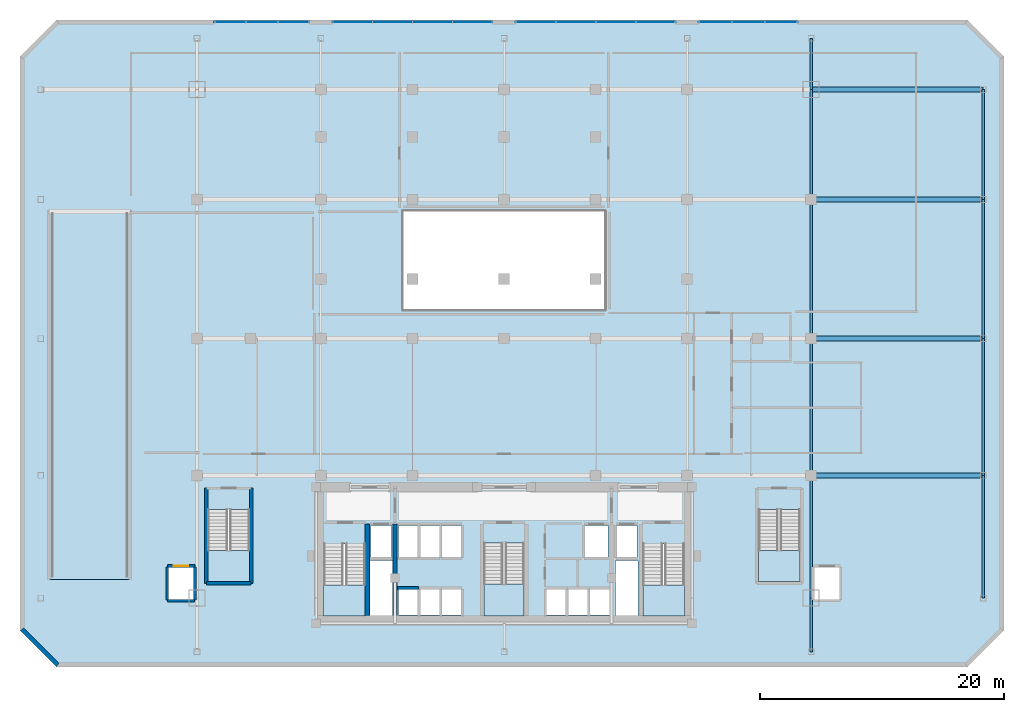
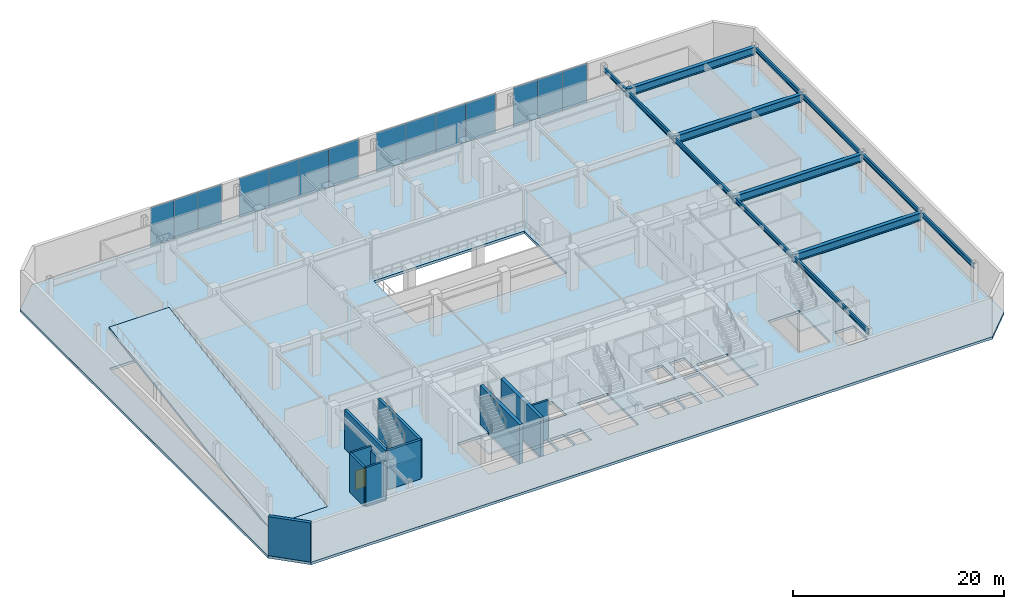
# One storey, part 10 of 16: 14 beams, 14 plates, 11 walls, 7 slabs, 1 door, 1 opening, 9 elements without a shape of their own.
"""IFC4 building model written with IfcOpenShell, lengths in metres."""

from ifc_helpers import new_model, si_unit, direction, frame, frame_2d, origin, origin_2d, place, context, subcontext, project, spatial, polyline, rectangle, i_section, outline, extrude, material, layer, layer_set, material_profile, profile_set, type_object, element, fill, aggregate, save


model = new_model("IFC4")

# Units and contexts
model_context = context("Model", 3, precision=1e-05, world=origin(), true_north=direction((0.0, 1.0)))
body_context = subcontext(model_context, "Body", "Model", "MODEL_VIEW")
ifc_project = project(units=[si_unit("LENGTHUNIT", "METRE"), si_unit("AREAUNIT", "SQUARE_METRE"), si_unit("VOLUMEUNIT", "CUBIC_METRE"), si_unit("PLANEANGLEUNIT", "RADIAN"), si_unit("MASSUNIT", "GRAM", prefix="KILO")], contexts=[model_context])

# Site, building, storey
site_placement = place(None, origin())
site = spatial("IfcSite", under=ifc_project, at=site_placement, CompositionType="ELEMENT")
building_placement = place(site_placement, origin())
building = spatial("IfcBuilding", under=site, at=building_placement, Name="Ventersveld Concourse Tower", CompositionType="ELEMENT")
storey_placement = place(building_placement, frame((0.0, 0.0, 10.199951171875)))
storey = spatial("IfcBuildingStorey", under=building, at=storey_placement, Name="L02", CompositionType="ELEMENT", Elevation=10.199951171875)

# Beams
ifc_material_1 = material(Name="Structural steel S355J2", Category="steel")
ifc_material_profile_1 = material_profile(ifc_material_1, i_section(OverallWidth=0.39990234375, OverallDepth=0.89990234375, WebThickness=0.02197265625, FlangeThickness=0.035888671875, at=origin_2d()), Name="PG 900x400x36")
ifc_profile_set_1 = profile_set([ifc_material_profile_1], Name="Structural steel S355J2")
beam_type_1 = type_object("IfcBeamType", Name="GRD-PG900", PredefinedType="USERDEFINED", material=ifc_profile_set_1)
for number, where, z_axis, x_axis, name in (
    (1, (53.89990234375, 12.39990234375, 4.070068359375), (1.0, 0.0, 0.0), (0.0, 1.0, 0.0), "L02 Podium Primary Girder Y=12.4m"),
    (2, (53.89990234375, 23.60009765625, 4.070068359375), (1.0, 0.0, 0.0), (0.0, 1.0, 0.0), "L02 Podium Primary Girder Y=23.6m"),
    (3, (53.89990234375, 35.0, 4.070068359375), (1.0, 0.0, 0.0), (0.0, 1.0, 0.0), "L02 Podium Primary Girder Y=35.0m"),
    (4, (53.89990234375, 44.0, 4.070068359375), (1.0, 0.0, 0.0), (0.0, 1.0, 0.0), "L02 Podium Primary Girder Y=44.0m"),
):
    element("IfcBeam", number, at=place(storey_placement, frame(where, z_axis=z_axis, x_axis=x_axis)), inside=storey, type_object=beam_type_1, Name=name, ObjectType="GIRDER", PredefinedType="USERDEFINED", context=body_context, shape_type="SweptSolid", body=[
        extrude(i_section(OverallWidth=0.39990234375, OverallDepth=0.89990234375, WebThickness=0.02197265625, FlangeThickness=0.035888671875, at=origin_2d()), origin(), (0.0, 0.0, 1.0), 14.10009765625),
    ])
ifc_material_profile_2 = material_profile(ifc_material_1, i_section(OverallWidth=0.209228515625, OverallDepth=0.533203125, WebThickness=0.010009765625, FlangeThickness=0.015625, FilletRadius=0.0126953125, at=origin_2d()), Name="UB 533x210x92")
ifc_profile_set_2 = profile_set([ifc_material_profile_2], Name="Structural steel S355J2")
beam_type_2 = type_object("IfcBeamType", Name="GRD-UB533", PredefinedType="T_BEAM", material=ifc_profile_set_2)
beam_1_placement = place(storey_placement, frame((53.89990234375, -2.050048828125, 4.253662109375), z_axis=(0.0, 1.0, 0.0), x_axis=(-1.0, 0.0, 0.0)))
element("IfcBeam", 5, at=beam_1_placement, inside=storey, type_object=beam_type_2, Name="L02 Podium N-S Girder X=53.90m", PredefinedType="T_BEAM", context=body_context, shape_type="SweptSolid", body=[
    extrude(i_section(OverallWidth=0.209228515625, OverallDepth=0.533203125, WebThickness=0.010009765625, FlangeThickness=0.015625, FilletRadius=0.0126953125, at=origin_2d()), origin(), (0.0, 0.0, 1.0), 4.400146484375),
])
beam_2_placement = place(storey_placement, frame((53.89990234375, 2.35009765625, 4.253662109375), z_axis=(0.0, 1.0, 0.0), x_axis=(-1.0, 0.0, 0.0)))
element("IfcBeam", 6, at=beam_2_placement, inside=storey, type_object=beam_type_2, Name="L02 Podium N-S Girder X=53.90m", PredefinedType="T_BEAM", context=body_context, shape_type="SweptSolid", body=[
    extrude(i_section(OverallWidth=0.209228515625, OverallDepth=0.533203125, WebThickness=0.010009765625, FlangeThickness=0.015625, FilletRadius=0.0126953125, at=origin_2d()), origin(), (0.0, 0.0, 1.0), 10.0498046875),
])
beam_3_placement = place(storey_placement, frame((53.89990234375, 12.39990234375, 4.253662109375), z_axis=(0.0, 1.0, 0.0), x_axis=(-1.0, 0.0, 0.0)))
element("IfcBeam", 7, at=beam_3_placement, inside=storey, type_object=beam_type_2, Name="L02 Podium N-S Girder X=53.90m", PredefinedType="T_BEAM", context=body_context, shape_type="SweptSolid", body=[
    extrude(i_section(OverallWidth=0.209228515625, OverallDepth=0.533203125, WebThickness=0.010009765625, FlangeThickness=0.015625, FilletRadius=0.0126953125, at=origin_2d()), origin(), (0.0, 0.0, 1.0), 11.2001953125),
])
beam_4_placement = place(storey_placement, frame((53.89990234375, 23.60009765625, 4.253662109375), z_axis=(0.0, 1.0, 0.0), x_axis=(-1.0, 0.0, 0.0)))
element("IfcBeam", 8, at=beam_4_placement, inside=storey, type_object=beam_type_2, Name="L02 Podium N-S Girder X=53.90m", PredefinedType="T_BEAM", context=body_context, shape_type="SweptSolid", body=[
    extrude(i_section(OverallWidth=0.209228515625, OverallDepth=0.533203125, WebThickness=0.010009765625, FlangeThickness=0.015625, FilletRadius=0.0126953125, at=origin_2d()), origin(), (0.0, 0.0, 1.0), 11.39990234375),
])
beam_5_placement = place(storey_placement, frame((53.89990234375, 35.0, 4.253662109375), z_axis=(0.0, 1.0, 0.0), x_axis=(-1.0, 0.0, 0.0)))
element("IfcBeam", 9, at=beam_5_placement, inside=storey, type_object=beam_type_2, Name="L02 Podium N-S Girder X=53.90m", PredefinedType="T_BEAM", context=body_context, shape_type="SweptSolid", body=[
    extrude(i_section(OverallWidth=0.209228515625, OverallDepth=0.533203125, WebThickness=0.010009765625, FlangeThickness=0.015625, FilletRadius=0.0126953125, at=origin_2d()), origin(), (0.0, 0.0, 1.0), 9.0),
])
beam_6_placement = place(storey_placement, frame((53.89990234375, 44.0, 4.253662109375), z_axis=(0.0, 1.0, 0.0), x_axis=(-1.0, 0.0, 0.0)))
element("IfcBeam", 10, at=beam_6_placement, inside=storey, type_object=beam_type_2, Name="L02 Podium N-S Girder X=53.90m", PredefinedType="T_BEAM", context=body_context, shape_type="SweptSolid", body=[
    extrude(i_section(OverallWidth=0.209228515625, OverallDepth=0.533203125, WebThickness=0.010009765625, FlangeThickness=0.015625, FilletRadius=0.0126953125, at=origin_2d()), origin(), (0.0, 0.0, 1.0), 4.199951171875),
])
beam_7_placement = place(storey_placement, frame((68.0, 2.35009765625, 4.253662109375), z_axis=(0.0, 1.0, 0.0), x_axis=(-1.0, 0.0, 0.0)))
element("IfcBeam", 11, at=beam_7_placement, inside=storey, type_object=beam_type_2, Name="L02 Podium N-S Girder X=68.00m", PredefinedType="T_BEAM", context=body_context, shape_type="SweptSolid", body=[
    extrude(i_section(OverallWidth=0.209228515625, OverallDepth=0.533203125, WebThickness=0.010009765625, FlangeThickness=0.015625, FilletRadius=0.0126953125, at=origin_2d()), origin(), (0.0, 0.0, 1.0), 10.0498046875),
])
beam_8_placement = place(storey_placement, frame((68.0, 12.39990234375, 4.253662109375), z_axis=(0.0, 1.0, 0.0), x_axis=(-1.0, 0.0, 0.0)))
element("IfcBeam", 12, at=beam_8_placement, inside=storey, type_object=beam_type_2, Name="L02 Podium N-S Girder X=68.00m", PredefinedType="T_BEAM", context=body_context, shape_type="SweptSolid", body=[
    extrude(i_section(OverallWidth=0.209228515625, OverallDepth=0.533203125, WebThickness=0.010009765625, FlangeThickness=0.015625, FilletRadius=0.0126953125, at=origin_2d()), origin(), (0.0, 0.0, 1.0), 11.2001953125),
])
beam_9_placement = place(storey_placement, frame((68.0, 23.60009765625, 4.253662109375), z_axis=(0.0, 1.0, 0.0), x_axis=(-1.0, 0.0, 0.0)))
element("IfcBeam", 13, at=beam_9_placement, inside=storey, type_object=beam_type_2, Name="L02 Podium N-S Girder X=68.00m", PredefinedType="T_BEAM", context=body_context, shape_type="SweptSolid", body=[
    extrude(i_section(OverallWidth=0.209228515625, OverallDepth=0.533203125, WebThickness=0.010009765625, FlangeThickness=0.015625, FilletRadius=0.0126953125, at=origin_2d()), origin(), (0.0, 0.0, 1.0), 11.39990234375),
])
beam_10_placement = place(storey_placement, frame((68.0, 35.0, 4.253662109375), z_axis=(0.0, 1.0, 0.0), x_axis=(-1.0, 0.0, 0.0)))
element("IfcBeam", 14, at=beam_10_placement, inside=storey, type_object=beam_type_2, Name="L02 Podium N-S Girder X=68.00m", PredefinedType="T_BEAM", context=body_context, shape_type="SweptSolid", body=[
    extrude(i_section(OverallWidth=0.209228515625, OverallDepth=0.533203125, WebThickness=0.010009765625, FlangeThickness=0.015625, FilletRadius=0.0126953125, at=origin_2d()), origin(), (0.0, 0.0, 1.0), 9.0),
])

# Curtain wall, plates
ifc_material_2 = material(Name="Anodised aluminium EN AW-6063-T6", Category="aluminium")
curtain_wall_type = type_object("IfcCurtainWallType", Name="CW-POD-2", PredefinedType="NOTDEFINED", material=ifc_material_2)
curtain_wall_1_placement = place(storey_placement, origin())
curtain_wall_1 = element("IfcCurtainWall", 15, at=curtain_wall_1_placement, inside=storey, type_object=curtain_wall_type, Name="L02 L02 Podium Gallery Curtain Wall 1", PredefinedType="NOTDEFINED")
ifc_material_3 = material(Name="Low-E double glazing IGU", Category="glass")
ifc_layer_1 = layer(ifc_material_3, 0.02392578125)
ifc_layer_set_1 = layer_set([ifc_layer_1], Name="Low-E double glazing IGU")
plate_type = type_object("IfcPlateType", Name="CWP-GLZ-24", PredefinedType="CURTAIN_PANEL", material=ifc_layer_set_1)
plate_1_placement = place(storey_placement, frame((6.300048828125, 49.52001953125, 0.02001953125), z_axis=(0.0, 0.0, 1.0), x_axis=(1.0, 0.0, 0.0)))
plate_1 = element("IfcPlate", 16, at=plate_1_placement, type_object=plate_type, Name="CW-L02-N1 Glazed Panel 01-1", PredefinedType="CURTAIN_PANEL", context=body_context, shape_type="SweptSolid", body=[
    extrude(rectangle(XDim=2.590087890625, YDim=0.02392578125, at=origin_2d()), origin(), (0.0, 0.0, 1.0), 4.47998046875),
])
plate_2_placement = place(storey_placement, frame((8.89990234375, 49.52001953125, 0.02001953125), z_axis=(0.0, 0.0, 1.0), x_axis=(1.0, 0.0, 0.0)))
plate_2 = element("IfcPlate", 17, at=plate_2_placement, type_object=plate_type, Name="CW-L02-N1 Glazed Panel 02-1", PredefinedType="CURTAIN_PANEL", context=body_context, shape_type="SweptSolid", body=[
    extrude(rectangle(XDim=2.590087890625, YDim=0.02392578125, at=origin_2d()), origin(), (0.0, 0.0, 1.0), 4.47998046875),
])
plate_3_placement = place(storey_placement, frame((11.5, 49.52001953125, 0.02001953125), z_axis=(0.0, 0.0, 1.0), x_axis=(1.0, 0.0, 0.0)))
plate_3 = element("IfcPlate", 18, at=plate_3_placement, type_object=plate_type, Name="CW-L02-N1 Glazed Panel 03-1", PredefinedType="CURTAIN_PANEL", context=body_context, shape_type="SweptSolid", body=[
    extrude(rectangle(XDim=2.590087890625, YDim=0.02392578125, at=origin_2d()), origin(), (0.0, 0.0, 1.0), 4.47998046875),
])
aggregate(curtain_wall_1, [plate_1, plate_2, plate_3])

curtain_wall_2_placement = place(storey_placement, origin())
curtain_wall_2 = element("IfcCurtainWall", 19, at=curtain_wall_2_placement, inside=storey, type_object=curtain_wall_type, Name="L02 L02 Podium Gallery Curtain Wall 2", PredefinedType="NOTDEFINED")
plate_4_placement = place(storey_placement, frame((16.33740234375, 49.52001953125, 0.02001953125), z_axis=(0.0, 0.0, 1.0), x_axis=(1.0, 0.0, 0.0)))
plate_4 = element("IfcPlate", 20, at=plate_4_placement, type_object=plate_type, Name="CW-L02-N2 Glazed Panel 01-1", PredefinedType="CURTAIN_PANEL", context=body_context, shape_type="SweptSolid", body=[
    extrude(rectangle(XDim=3.264892578125, YDim=0.02392578125, at=origin_2d()), origin(), (0.0, 0.0, 1.0), 4.47998046875),
])
plate_5_placement = place(storey_placement, frame((19.612548828125, 49.52001953125, 0.02001953125), z_axis=(0.0, 0.0, 1.0), x_axis=(1.0, 0.0, 0.0)))
plate_5 = element("IfcPlate", 21, at=plate_5_placement, type_object=plate_type, Name="CW-L02-N2 Glazed Panel 02-1", PredefinedType="CURTAIN_PANEL", context=body_context, shape_type="SweptSolid", body=[
    extrude(rectangle(XDim=3.264892578125, YDim=0.02392578125, at=origin_2d()), origin(), (0.0, 0.0, 1.0), 4.47998046875),
])
plate_6_placement = place(storey_placement, frame((22.887451171875, 49.52001953125, 0.02001953125), z_axis=(0.0, 0.0, 1.0), x_axis=(1.0, 0.0, 0.0)))
plate_6 = element("IfcPlate", 22, at=plate_6_placement, type_object=plate_type, Name="CW-L02-N2 Glazed Panel 03-1", PredefinedType="CURTAIN_PANEL", context=body_context, shape_type="SweptSolid", body=[
    extrude(rectangle(XDim=3.264892578125, YDim=0.02392578125, at=origin_2d()), origin(), (0.0, 0.0, 1.0), 4.47998046875),
])
plate_7_placement = place(storey_placement, frame((26.16259765625, 49.52001953125, 0.02001953125), z_axis=(0.0, 0.0, 1.0), x_axis=(1.0, 0.0, 0.0)))
plate_7 = element("IfcPlate", 23, at=plate_7_placement, type_object=plate_type, Name="CW-L02-N2 Glazed Panel 04-1", PredefinedType="CURTAIN_PANEL", context=body_context, shape_type="SweptSolid", body=[
    extrude(rectangle(XDim=3.264892578125, YDim=0.02392578125, at=origin_2d()), origin(), (0.0, 0.0, 1.0), 4.47998046875),
])
aggregate(curtain_wall_2, [plate_4, plate_5, plate_6, plate_7])

curtain_wall_3_placement = place(storey_placement, origin())
curtain_wall_3 = element("IfcCurtainWall", 24, at=curtain_wall_3_placement, inside=storey, type_object=curtain_wall_type, Name="L02 L02 Podium Gallery Curtain Wall 3", PredefinedType="NOTDEFINED")
plate_8_placement = place(storey_placement, frame((31.33740234375, 49.52001953125, 0.02001953125), z_axis=(0.0, 0.0, 1.0), x_axis=(1.0, 0.0, 0.0)))
plate_8 = element("IfcPlate", 25, at=plate_8_placement, type_object=plate_type, Name="CW-L02-N3 Glazed Panel 01-1", PredefinedType="CURTAIN_PANEL", context=body_context, shape_type="SweptSolid", body=[
    extrude(rectangle(XDim=3.264892578125, YDim=0.02392578125, at=origin_2d()), origin(), (0.0, 0.0, 1.0), 4.47998046875),
])
plate_9_placement = place(storey_placement, frame((34.612548828125, 49.52001953125, 0.02001953125), z_axis=(0.0, 0.0, 1.0), x_axis=(1.0, 0.0, 0.0)))
plate_9 = element("IfcPlate", 26, at=plate_9_placement, type_object=plate_type, Name="CW-L02-N3 Glazed Panel 02-1", PredefinedType="CURTAIN_PANEL", context=body_context, shape_type="SweptSolid", body=[
    extrude(rectangle(XDim=3.264892578125, YDim=0.02392578125, at=origin_2d()), origin(), (0.0, 0.0, 1.0), 4.47998046875),
])
plate_10_placement = place(storey_placement, frame((37.887451171875, 49.52001953125, 0.02001953125), z_axis=(0.0, 0.0, 1.0), x_axis=(1.0, 0.0, 0.0)))
plate_10 = element("IfcPlate", 27, at=plate_10_placement, type_object=plate_type, Name="CW-L02-N3 Glazed Panel 03-1", PredefinedType="CURTAIN_PANEL", context=body_context, shape_type="SweptSolid", body=[
    extrude(rectangle(XDim=3.264892578125, YDim=0.02392578125, at=origin_2d()), origin(), (0.0, 0.0, 1.0), 4.47998046875),
])
plate_11_placement = place(storey_placement, frame((41.16259765625, 49.52001953125, 0.02001953125), z_axis=(0.0, 0.0, 1.0), x_axis=(1.0, 0.0, 0.0)))
plate_11 = element("IfcPlate", 28, at=plate_11_placement, type_object=plate_type, Name="CW-L02-N3 Glazed Panel 04-1", PredefinedType="CURTAIN_PANEL", context=body_context, shape_type="SweptSolid", body=[
    extrude(rectangle(XDim=3.264892578125, YDim=0.02392578125, at=origin_2d()), origin(), (0.0, 0.0, 1.0), 4.47998046875),
])
aggregate(curtain_wall_3, [plate_8, plate_9, plate_10, plate_11])

curtain_wall_4_placement = place(storey_placement, origin())
curtain_wall_4 = element("IfcCurtainWall", 29, at=curtain_wall_4_placement, inside=storey, type_object=curtain_wall_type, Name="L02 L02 Podium Gallery Curtain Wall 4", PredefinedType="NOTDEFINED")
plate_12_placement = place(storey_placement, frame((46.050048828125, 49.52001953125, 0.02001953125), z_axis=(0.0, 0.0, 1.0), x_axis=(1.0, 0.0, 0.0)))
plate_12 = element("IfcPlate", 30, at=plate_12_placement, type_object=plate_type, Name="CW-L02-N4 Glazed Panel 01-1", PredefinedType="CURTAIN_PANEL", context=body_context, shape_type="SweptSolid", body=[
    extrude(rectangle(XDim=2.68994140625, YDim=0.02392578125, at=origin_2d()), origin(), (0.0, 0.0, 1.0), 4.47998046875),
])
plate_13_placement = place(storey_placement, frame((48.75, 49.52001953125, 0.02001953125), z_axis=(0.0, 0.0, 1.0), x_axis=(1.0, 0.0, 0.0)))
plate_13 = element("IfcPlate", 31, at=plate_13_placement, type_object=plate_type, Name="CW-L02-N4 Glazed Panel 02-1", PredefinedType="CURTAIN_PANEL", context=body_context, shape_type="SweptSolid", body=[
    extrude(rectangle(XDim=2.68994140625, YDim=0.02392578125, at=origin_2d()), origin(), (0.0, 0.0, 1.0), 4.47998046875),
])
plate_14_placement = place(storey_placement, frame((51.449951171875, 49.52001953125, 0.02001953125), z_axis=(0.0, 0.0, 1.0), x_axis=(1.0, 0.0, 0.0)))
plate_14 = element("IfcPlate", 32, at=plate_14_placement, type_object=plate_type, Name="CW-L02-N4 Glazed Panel 03-1", PredefinedType="CURTAIN_PANEL", context=body_context, shape_type="SweptSolid", body=[
    extrude(rectangle(XDim=2.68994140625, YDim=0.02392578125, at=origin_2d()), origin(), (0.0, 0.0, 1.0), 4.47998046875),
])
aggregate(curtain_wall_4, [plate_12, plate_13, plate_14])

# Slab
ifc_material_4 = material(Name="Concrete C50/60", Category="concrete")
ifc_layer_2 = layer(ifc_material_4, 0.300048828125)
ifc_layer_set_2 = layer_set([ifc_layer_2], Name="Concrete C50/60")
slab_type_1 = type_object("IfcSlabType", Name="SL-FLR-300", PredefinedType="FLOOR", material=ifc_layer_set_2)
slab_1_placement = place(storey_placement, frame((0.0, 0.0, -0.300048828125)))
element("IfcSlab", 33, at=slab_1_placement, inside=storey, type_object=slab_type_1, Name="L02 Composite Floor Slab", PredefinedType="FLOOR", context=body_context, shape_type="SweptSolid", body=[
    extrude(outline(polyline([(-7.89990234375, -3.300048828125), (66.699951171875, -3.300048828125), (69.699951171875, -0.300048828125), (69.699951171875, 46.699951171875), (66.699951171875, 49.699951171875), (-7.89990234375, 49.699951171875), (-10.89990234375, 46.699951171875), (-10.89990234375, -0.300048828125), (-7.89990234375, -3.300048828125)]), holes=[polyline([(13.97998046875, 6.794921875), (13.97998046875, 0.89990234375), (17.3798828125, 0.89990234375), (17.3798828125, 6.794921875), (13.97998046875, 6.794921875)]), polyline([(40.1201171875, 6.794921875), (40.1201171875, 0.89990234375), (43.52001953125, 0.89990234375), (43.52001953125, 6.794921875), (40.1201171875, 6.794921875)]), polyline([(27.10009765625, 6.844970703125), (27.10009765625, 0.89990234375), (30.39990234375, 0.89990234375), (30.39990234375, 6.844970703125), (27.10009765625, 6.844970703125)]), polyline([(4.5, 9.594970703125), (4.5, 3.699951171875), (7.89990234375, 3.699951171875), (7.89990234375, 9.594970703125), (4.5, 9.594970703125)]), polyline([(49.60009765625, 9.594970703125), (49.60009765625, 3.699951171875), (53.0, 3.699951171875), (53.0, 9.594970703125), (49.60009765625, 9.594970703125)]), polyline([(17.85009765625, 5.699951171875), (19.530029296875, 5.699951171875), (19.530029296875, 8.300048828125), (17.85009765625, 8.300048828125), (17.85009765625, 5.699951171875)]), polyline([(37.969970703125, 5.699951171875), (39.64990234375, 5.699951171875), (39.64990234375, 8.300048828125), (37.969970703125, 8.300048828125), (37.969970703125, 5.699951171875)]), polyline([(35.35009765625, 5.699951171875), (37.25, 5.699951171875), (37.25, 8.300048828125), (35.35009765625, 8.300048828125), (35.35009765625, 5.699951171875)]), polyline([(20.090087890625, 0.949951171875), (21.68994140625, 0.949951171875), (21.68994140625, 3.050048828125), (20.090087890625, 3.050048828125), (20.090087890625, 0.949951171875)]), polyline([(21.8701171875, 0.949951171875), (23.469970703125, 0.949951171875), (23.469970703125, 3.050048828125), (21.8701171875, 3.050048828125), (21.8701171875, 0.949951171875)]), polyline([(23.64990234375, 0.949951171875), (25.25, 0.949951171875), (25.25, 3.050048828125), (23.64990234375, 3.050048828125), (23.64990234375, 0.949951171875)]), polyline([(32.2099609375, 0.949951171875), (33.81005859375, 0.949951171875), (33.81005859375, 3.050048828125), (32.2099609375, 3.050048828125), (32.2099609375, 0.949951171875)]), polyline([(33.989990234375, 0.949951171875), (35.590087890625, 0.949951171875), (35.590087890625, 3.050048828125), (33.989990234375, 3.050048828125), (33.989990234375, 0.949951171875)]), polyline([(35.77001953125, 0.949951171875), (37.3701171875, 0.949951171875), (37.3701171875, 3.050048828125), (35.77001953125, 3.050048828125), (35.77001953125, 0.949951171875)]), polyline([(20.090087890625, 5.699951171875), (21.68994140625, 5.699951171875), (21.68994140625, 8.300048828125), (20.090087890625, 8.300048828125), (20.090087890625, 5.699951171875)]), polyline([(21.8701171875, 5.699951171875), (23.469970703125, 5.699951171875), (23.469970703125, 8.300048828125), (21.8701171875, 8.300048828125), (21.8701171875, 5.699951171875)]), polyline([(23.64990234375, 5.699951171875), (25.25, 5.699951171875), (25.25, 8.300048828125), (23.64990234375, 8.300048828125), (23.64990234375, 5.699951171875)]), polyline([(1.25, 2.25), (3.35009765625, 2.25), (3.35009765625, 4.85009765625), (1.25, 4.85009765625), (1.25, 2.25)]), polyline([(54.14990234375, 2.25), (56.25, 2.25), (56.25, 4.85009765625), (54.14990234375, 4.85009765625), (54.14990234375, 2.25)]), polyline([(17.780029296875, 0.919921875), (19.6201171875, 0.919921875), (19.6201171875, 5.419921875), (17.780029296875, 5.419921875), (17.780029296875, 0.919921875)]), polyline([(37.8798828125, 0.919921875), (39.719970703125, 0.919921875), (39.719970703125, 5.419921875), (37.8798828125, 5.419921875), (37.8798828125, 0.919921875)]), polyline([(20.5, 26.0), (37.0, 26.0), (37.0, 34.0), (20.5, 34.0), (20.5, 26.0)]), polyline([(-8.39990234375, 4.0), (-2.0, 4.0), (-2.0, 34.0), (-8.39990234375, 34.0), (-8.39990234375, 4.0)])]), origin(), (0.0, 0.0, 1.0), 0.300048828125),
])

# Stair, slab
stair_type_1 = type_object("IfcStairType", Name="ST-DOG-160", PredefinedType="HALF_TURN_STAIR", material=ifc_material_4)
stair_1_placement = place(storey_placement, origin())
stair_1 = element("IfcStair", 34, at=stair_1_placement, inside=storey, type_object=stair_type_1, Name="L02 Protected Tower Escape Stair ST-01", PredefinedType="HALF_TURN_STAIR")
ifc_layer_3 = layer(ifc_material_4, 0.199951171875)
ifc_layer_set_3 = layer_set([ifc_layer_3], Name="Concrete C50/60")
slab_type_2 = type_object("IfcSlabType", Name="SL-LND-200", PredefinedType="LANDING", material=ifc_layer_set_3)
slab_2_placement = place(storey_placement, frame((0.0, 0.0, 2.199951171875)))
slab_2 = element("IfcSlab", 35, at=slab_2_placement, type_object=slab_type_2, Name="ST-01 landing 1", PredefinedType="LANDING", context=body_context, shape_type="SweptSolid", body=[
    extrude(outline(polyline([(13.97998046875, 3.43994140625), (13.97998046875, 0.89990234375), (17.3798828125, 0.89990234375), (17.3798828125, 3.43994140625), (13.97998046875, 3.43994140625)])), origin(), (0.0, 0.0, 1.0), 0.2001953125),
])
aggregate(stair_1, [slab_2])

stair_2_placement = place(storey_placement, origin())
stair_2 = element("IfcStair", 36, at=stair_2_placement, inside=storey, type_object=stair_type_1, Name="L02 Protected Tower Escape Stair ST-02", PredefinedType="HALF_TURN_STAIR")
slab_3_placement = place(storey_placement, frame((0.0, 0.0, 2.199951171875)))
slab_3 = element("IfcSlab", 37, at=slab_3_placement, type_object=slab_type_2, Name="ST-02 landing 1", PredefinedType="LANDING", context=body_context, shape_type="SweptSolid", body=[
    extrude(outline(polyline([(40.1201171875, 3.43994140625), (40.1201171875, 0.89990234375), (43.52001953125, 0.89990234375), (43.52001953125, 3.43994140625), (40.1201171875, 3.43994140625)])), origin(), (0.0, 0.0, 1.0), 0.2001953125),
])
aggregate(stair_2, [slab_3])

stair_type_2 = type_object("IfcStairType", Name="ST-DOG-155", PredefinedType="HALF_TURN_STAIR", material=ifc_material_4)
stair_3_placement = place(storey_placement, origin())
stair_3 = element("IfcStair", 38, at=stair_3_placement, inside=storey, type_object=stair_type_2, Name="L02 Protected Central Core Escape Stair ST-03", PredefinedType="HALF_TURN_STAIR")
slab_4_placement = place(storey_placement, frame((0.0, 0.0, 2.199951171875)))
slab_4 = element("IfcSlab", 39, at=slab_4_placement, type_object=slab_type_2, Name="ST-03 landing 1", PredefinedType="LANDING", context=body_context, shape_type="SweptSolid", body=[
    extrude(outline(polyline([(27.10009765625, 3.489990234375), (27.10009765625, 0.89990234375), (30.39990234375, 0.89990234375), (30.39990234375, 3.489990234375), (27.10009765625, 3.489990234375)])), origin(), (0.0, 0.0, 1.0), 0.2001953125),
])
aggregate(stair_3, [slab_4])

stair_4_placement = place(storey_placement, origin())
stair_4 = element("IfcStair", 40, at=stair_4_placement, inside=storey, type_object=stair_type_1, Name="L02 Station Concourse West Escape Stair ST-04", PredefinedType="HALF_TURN_STAIR")
slab_5_placement = place(storey_placement, frame((0.0, 0.0, 2.199951171875)))
slab_5 = element("IfcSlab", 41, at=slab_5_placement, type_object=slab_type_2, Name="ST-04 landing 1", PredefinedType="LANDING", context=body_context, shape_type="SweptSolid", body=[
    extrude(outline(polyline([(4.5, 6.239990234375), (4.5, 3.699951171875), (7.89990234375, 3.699951171875), (7.89990234375, 6.239990234375), (4.5, 6.239990234375)])), origin(), (0.0, 0.0, 1.0), 0.2001953125),
])
aggregate(stair_4, [slab_5])

stair_5_placement = place(storey_placement, origin())
stair_5 = element("IfcStair", 42, at=stair_5_placement, inside=storey, type_object=stair_type_1, Name="L02 Station Concourse East Escape Stair ST-05", PredefinedType="HALF_TURN_STAIR")
slab_6_placement = place(storey_placement, frame((0.0, 0.0, 2.199951171875)))
slab_6 = element("IfcSlab", 43, at=slab_6_placement, type_object=slab_type_2, Name="ST-05 landing 1", PredefinedType="LANDING", context=body_context, shape_type="SweptSolid", body=[
    extrude(outline(polyline([(49.60009765625, 6.239990234375), (49.60009765625, 3.699951171875), (53.0, 3.699951171875), (53.0, 6.239990234375), (49.60009765625, 6.239990234375)])), origin(), (0.0, 0.0, 1.0), 0.2001953125),
])
aggregate(stair_5, [slab_6])

# Slab
ifc_layer_4 = layer(ifc_material_4, 0.25)
ifc_layer_set_4 = layer_set([ifc_layer_4], Name="Concrete C50/60")
slab_type_3 = type_object("IfcSlabType", Name="SL-RAMP-250", PredefinedType="FLOOR", material=ifc_layer_set_4)
slab_7_placement = place(storey_placement, frame((-8.47998046875, 3.8798828125, 0.0), z_axis=(0.0, -0.157377641117, 0.987538494478), x_axis=(1.0, 0.0, 0.0)))
element("IfcSlab", 44, at=slab_7_placement, inside=storey, type_object=slab_type_3, Name="Car Park Vehicle Ramp Structural Slab L02-L03", PredefinedType="FLOOR", context=body_context, shape_type="SweptSolid", body=[
    extrude(outline(polyline([(0.0, 0.0), (6.56005859375, 0.0), (6.56005859375, 30.500244140625), (0.0, 30.500244140625), (0.0, 0.0)])), origin(), (0.0, 0.0, -1.0), 0.25),
])

# Walls
ifc_material_5 = material(Name="Concrete C60/75", Category="concrete")
ifc_layer_5 = layer(ifc_material_5, 0.35009765625)
ifc_layer_set_5 = layer_set([ifc_layer_5], Name="Concrete C60/75")
wall_type_1 = type_object("IfcWallType", Name="WL-CORE-350L", PredefinedType="SHEAR", material=ifc_layer_set_5)
for number, where, z_axis, x_axis, name in (
    (45, (17.5400390625, 0.919921875, 0.0), (0.0, 0.0, 1.0), (0.0, 1.0, 0.0), "L02 Core Internal Shear Web W-ST1-E"),
    (46, (19.820068359375, 0.919921875, 0.0), (0.0, 0.0, 1.0), (0.0, 1.0, 0.0), "L02 Core Internal Shear Web W-FF1-E"),
):
    element("IfcWall", number, at=place(storey_placement, frame(where, z_axis=z_axis, x_axis=x_axis)), inside=storey, type_object=wall_type_1, Name=name, PredefinedType="SHEAR", context=body_context, shape_type="SweptSolid", body=[
        extrude(rectangle(XDim=7.5, YDim=0.35009765625, at=frame_2d((3.75, 0.0))), origin(), (0.0, 0.0, 1.0), 4.52001953125),
    ])
ifc_material_6 = material(Name="Fire-rated autoclaved aerated masonry blockwork", Category="masonry")
ifc_layer_6 = layer(ifc_material_6, 0.219970703125)
ifc_layer_set_6 = layer_set([ifc_layer_6], Name="Fire-rated autoclaved aerated masonry blockwork")
wall_type_2 = type_object("IfcWallType", Name="WL-HOIST-220", PredefinedType="SOLIDWALL", material=ifc_layer_set_6)
wall_1_placement = place(storey_placement, frame((20.02001953125, 3.179931640625, 0.0), z_axis=(0.0, 0.0, 1.0), x_axis=(1.0, 0.0, 0.0)))
element("IfcWall", 47, at=wall_1_placement, inside=storey, type_object=wall_type_2, Name="L02 Lift Hoistway Front Wall PL-01", PredefinedType="SOLIDWALL", context=body_context, shape_type="SweptSolid", body=[
    extrude(rectangle(XDim=1.739990234375, YDim=0.219970703125, at=frame_2d((0.8701171875, 0.0))), origin(), (0.0, 0.0, 1.0), 4.52001953125),
])
wall_2_placement = place(storey_placement, frame((1.199951171875, 2.139892578125, 0.0), z_axis=(0.0, 0.0, 1.0), x_axis=(1.0, 0.0, 0.0)))
element("IfcWall", 48, at=wall_2_placement, inside=storey, type_object=wall_type_2, Name="L02 Lift Hoistway Back Wall SL-01", PredefinedType="SOLIDWALL", context=body_context, shape_type="SweptSolid", body=[
    extrude(rectangle(XDim=2.199951171875, YDim=0.219970703125, at=frame_2d((1.10009765625, 0.0))), origin(), (0.0, 0.0, 1.0), 4.52001953125),
])
wall_3_placement = place(storey_placement, frame((1.159912109375, 2.199951171875, 0.0), z_axis=(0.0, 0.0, 1.0), x_axis=(0.0, 1.0, 0.0)))
element("IfcWall", 49, at=wall_3_placement, inside=storey, type_object=wall_type_2, Name="L02 Lift Hoistway Side Wall SL-01W", PredefinedType="SOLIDWALL", context=body_context, shape_type="SweptSolid", body=[
    extrude(rectangle(XDim=2.699951171875, YDim=0.219970703125, at=frame_2d((1.35009765625, 0.0))), origin(), (0.0, 0.0, 1.0), 4.52001953125),
])
wall_4_placement = place(storey_placement, frame((3.43994140625, 2.199951171875, 0.0), z_axis=(0.0, 0.0, 1.0), x_axis=(0.0, 1.0, 0.0)))
element("IfcWall", 50, at=wall_4_placement, inside=storey, type_object=wall_type_2, Name="L02 Lift Hoistway Side Wall SL-01E", PredefinedType="SOLIDWALL", context=body_context, shape_type="SweptSolid", body=[
    extrude(rectangle(XDim=2.699951171875, YDim=0.219970703125, at=frame_2d((1.35009765625, 0.0))), origin(), (0.0, 0.0, 1.0), 3.987060546875),
])

# Wall, opening, door
wall_5_placement = place(storey_placement, frame((1.179931640625, 4.97998046875, 0.0), z_axis=(0.0, 0.0, 1.0), x_axis=(1.0, 0.0, 0.0)))
wall_5 = element("IfcWall", 51, at=wall_5_placement, inside=storey, type_object=wall_type_2, Name="L02 Lift Hoistway Front Wall SL-01", PredefinedType="SOLIDWALL", context=body_context, shape_type="SweptSolid", body=[
    extrude(rectangle(XDim=2.239990234375, YDim=0.219970703125, at=frame_2d((1.1201171875, 0.0))), origin(), (0.0, 0.0, 1.0), 4.52001953125),
])
opening_placement = place(wall_5_placement, frame((0.530029296875, 0.0, 0.0)))
opening = element("IfcOpeningElement", 52, at=opening_placement, cuts=wall_5, Name="Opening LD2", PredefinedType="OPENING", context=body_context, shape_type="SweptSolid", body=[
    extrude(rectangle(XDim=1.179931640625, YDim=2.199951171875, at=frame_2d((0.58984375, 1.10009765625))), frame((0.0, 0.1201171875, 0.0), z_axis=(0.0, -1.0, 0.0), x_axis=(1.0, 0.0, 0.0)), (0.0, 0.0, 1.0), 0.239990234375),
])
ifc_material_7 = material(Name="Brushed stainless steel 316", Category="steel")
door_type = type_object("IfcDoorType", Name="LD-PAX-118", OperationType="SLIDING_TO_LEFT", PredefinedType="DOOR", material=ifc_material_7)
door_placement = place(opening_placement, origin())
door = element("IfcDoor", 53, at=door_placement, inside=storey, type_object=door_type, Name="L02 Lift landing door SL-01 (LD-L02-SL-01)", OperationType="SLIDING_TO_LEFT", OverallHeight=2.199951171875, OverallWidth=1.179931640625, PredefinedType="DOOR", context=body_context, shape_type="SweptSolid", body=[
    extrude(rectangle(XDim=1.179931640625, YDim=2.199951171875, at=frame_2d((0.58984375, 1.10009765625))), frame((0.0, 0.02490234375, 0.0), z_axis=(0.0, -1.0, 0.0), x_axis=(1.0, 0.0, 0.0)), (0.0, 0.0, 1.0), 0.050048828125),
])
fill(opening, door)

# Walls
ifc_material_8 = material(Name="Precast concrete C45/55", Category="concrete")
ifc_layer_7 = layer(ifc_material_8, 0.35009765625)
ifc_layer_set_7 = layer_set([ifc_layer_7], Name="Precast concrete C45/55")
wall_type_3 = type_object("IfcWallType", Name="WL-PREC-350", PredefinedType="SOLIDWALL", material=ifc_layer_set_7)
wall_6_placement = place(storey_placement, frame((-10.744384765625, -0.200927734375, 0.0), z_axis=(0.0, 0.0, 1.0), x_axis=(0.707106781187, -0.707106781187, 0.0)))
element("IfcWall", 54, at=wall_6_placement, inside=storey, type_object=wall_type_3, Name="L02 Podium Precast Perimeter Wall 08", PredefinedType="SOLIDWALL", context=body_context, shape_type="SweptSolid", body=[
    extrude(rectangle(XDim=4.16259765625, YDim=0.35009765625, at=frame_2d((2.081298828125, 0.0))), origin(), (0.0, 0.0, 1.0), 4.52001953125),
])
ifc_layer_8 = layer(ifc_material_4, 0.280029296875)
ifc_layer_set_8 = layer_set([ifc_layer_8], Name="Concrete C50/60")
wall_type_4 = type_object("IfcWallType", Name="WL-SHAFT-280", PredefinedType="SHEAR", material=ifc_layer_set_8)
wall_7_placement = place(storey_placement, frame((4.360107421875, 3.56005859375, 0.0), z_axis=(0.0, 0.0, 1.0), x_axis=(1.0, 0.0, 0.0)))
element("IfcWall", 55, at=wall_7_placement, inside=storey, type_object=wall_type_4, Name="L02 ST04 Structural Shaft Wall S", PredefinedType="SHEAR", context=body_context, shape_type="SweptSolid", body=[
    extrude(rectangle(XDim=3.679931640625, YDim=0.280029296875, at=frame_2d((1.83984375, 0.0))), origin(), (0.0, 0.0, 1.0), 4.52001953125),
])
for number, where, z_axis, x_axis, name in (
    (56, (4.360107421875, 3.56005859375, 0.0), (0.0, 0.0, 1.0), (0.0, 1.0, 0.0), "L02 ST04 Structural Shaft Wall W"),
    (57, (8.0400390625, 3.56005859375, 0.0), (0.0, 0.0, 1.0), (0.0, 1.0, 0.0), "L02 ST04 Structural Shaft Wall E"),
):
    element("IfcWall", number, at=place(storey_placement, frame(where, z_axis=z_axis, x_axis=x_axis)), inside=storey, type_object=wall_type_4, Name=name, PredefinedType="SHEAR", context=body_context, shape_type="SweptSolid", body=[
        extrude(rectangle(XDim=7.7900390625, YDim=0.280029296875, at=frame_2d((3.89501953125, 0.0))), origin(), (0.0, 0.0, 1.0), 4.52001953125),
    ])

save(model, "model.ifc")
